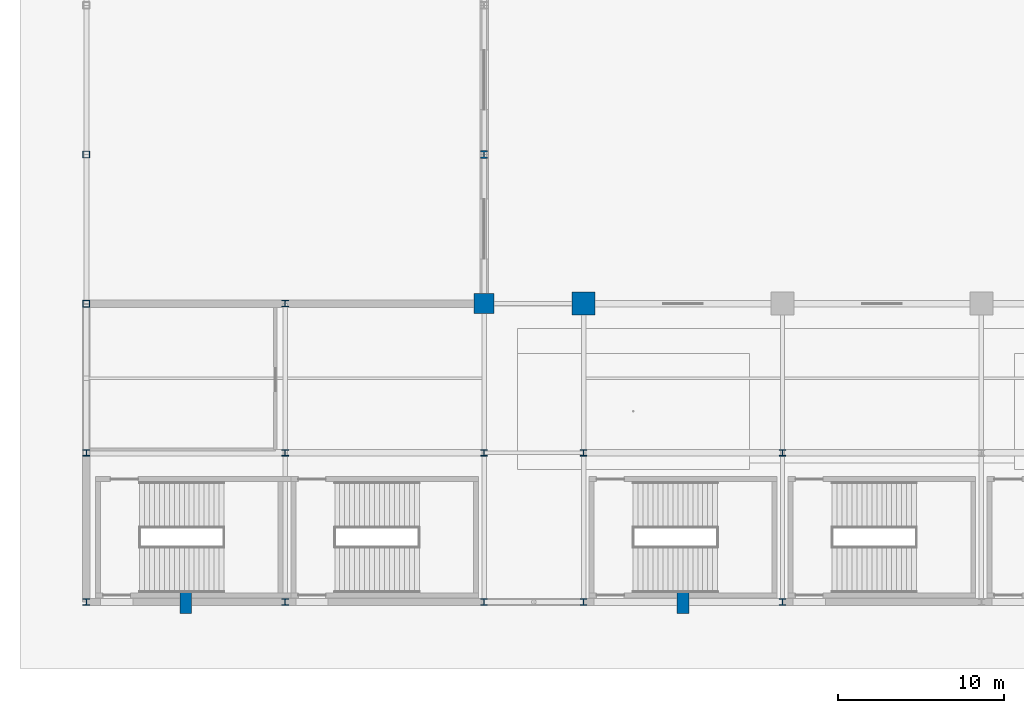
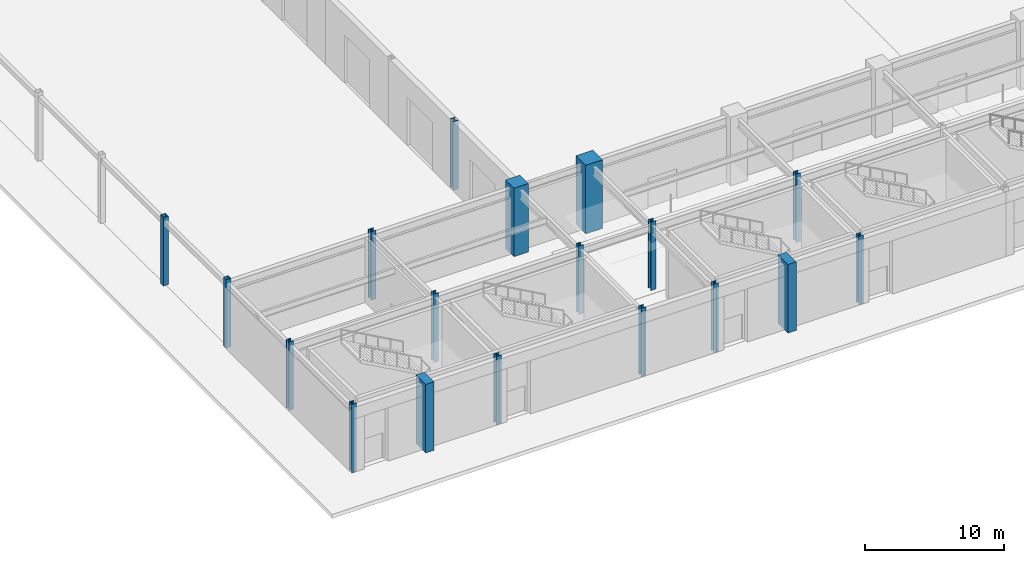
# One storey, part 1 of 44: 18 columns.
"""IFC4 building model written with IfcOpenShell, lengths in metres."""

from ifc_helpers import new_model, si_unit, direction, frame, origin, origin_2d, place, context, subcontext, project, spatial, rectangle, hollow_rectangle, i_section, extrude, material, material_profile, profile_set, type_object, element, save


model = new_model("IFC4")

# Units and contexts
model_context = context("Model", 3, precision=1e-05, world=origin(), true_north=direction((0.0, 1.0)))
body_context = subcontext(model_context, "Body", "Model", "MODEL_VIEW")
ifc_project = project(units=[si_unit("LENGTHUNIT", "METRE"), si_unit("AREAUNIT", "SQUARE_METRE"), si_unit("VOLUMEUNIT", "CUBIC_METRE"), si_unit("PLANEANGLEUNIT", "RADIAN"), si_unit("MASSUNIT", "GRAM", prefix="KILO")], contexts=[model_context])

# Site, building, storey
site_placement = place(None, origin())
site = spatial("IfcSite", under=ifc_project, at=site_placement, CompositionType="ELEMENT")
building_placement = place(site_placement, origin())
building = spatial("IfcBuilding", under=site, at=building_placement, Name="Kaldorvane Square Convention Centre", CompositionType="ELEMENT")
storey_placement = place(building_placement, origin())
storey = spatial("IfcBuildingStorey", under=building, at=storey_placement, Name="L00", CompositionType="ELEMENT", Elevation=0.0)

# Columns
ifc_material_1 = material(Name="Steel ASTM A500 Gr. C", Category="steel")
ifc_material_profile_1 = material_profile(ifc_material_1, hollow_rectangle(XDim=0.406402587890625, YDim=0.406402587890625, WallThickness=0.014801025390625, at=origin_2d()), Name="HSS16X16X5/8")
ifc_profile_set_1 = profile_set([ifc_material_profile_1], Name="Steel ASTM A500 Gr. C")
column_type_1 = type_object("IfcColumnType", Name="COL-HSS-16", PredefinedType="COLUMN", material=ifc_profile_set_1)
for number, where, z_axis, x_axis, name in (
    (1, (0.0, 18.0, 0.0), (0.0, 0.0, 1.0), (1.0, 0.0, 0.0), "Column SC-14 (L00)"),
    (2, (0.0, 27.0, 0.0), (0.0, 0.0, 1.0), (1.0, 0.0, 0.0), "Column SC-14 (L00)"),
):
    element("IfcColumn", number, at=place(storey_placement, frame(where, z_axis=z_axis, x_axis=x_axis)), inside=storey, type_object=column_type_1, Name=name, PredefinedType="COLUMN", context=body_context, shape_type="SweptSolid", body=[
        extrude(hollow_rectangle(XDim=0.406402587890625, YDim=0.406402587890625, WallThickness=0.014801025390625, at=origin_2d()), origin(), (0.0, 0.0, 1.0), 6.0),
    ])
ifc_material_2 = material(Name="Concrete f'c = 55 MPa (Normalweight)", Category="concrete")
ifc_material_profile_2 = material_profile(ifc_material_2, rectangle(XDim=1.1999969482421875, YDim=1.1999969482421875, at=origin_2d()), Name="RC1200X1200")
ifc_profile_set_2 = profile_set([ifc_material_profile_2], Name="Concrete f'c = 55 MPa (Normalweight)")
column_type_2 = type_object("IfcColumnType", Name="COL-MEGA-1200", PredefinedType="COLUMN", material=ifc_profile_set_2)
column_1_placement = place(storey_placement, frame((24.0, 18.0, 0.0), z_axis=(0.0, 0.0, 1.0), x_axis=(1.0, 0.0, 0.0)))
element("IfcColumn", 3, at=column_1_placement, inside=storey, type_object=column_type_2, Name="Column MC-02 (L00)", PredefinedType="COLUMN", context=body_context, shape_type="SweptSolid", body=[
    extrude(rectangle(XDim=1.1999969482421875, YDim=1.1999969482421875, at=origin_2d()), origin(), (0.0, 0.0, 1.0), 6.0),
])
ifc_material_profile_3 = material_profile(ifc_material_2, rectangle(XDim=1.399993896484375, YDim=1.399993896484375, at=origin_2d()), Name="RC1400X1400")
ifc_profile_set_3 = profile_set([ifc_material_profile_3], Name="Concrete f'c = 55 MPa (Normalweight)")
column_type_3 = type_object("IfcColumnType", Name="COL-MEGA-1400", PredefinedType="COLUMN", material=ifc_profile_set_3)
column_2_placement = place(storey_placement, frame((30.0, 18.0, 0.0), z_axis=(0.0, 0.0, 1.0), x_axis=(1.0, 0.0, 0.0)))
element("IfcColumn", 4, at=column_2_placement, inside=storey, type_object=column_type_3, Name="Column MC-01 (L00)", PredefinedType="COLUMN", context=body_context, shape_type="SweptSolid", body=[
    extrude(rectangle(XDim=1.399993896484375, YDim=1.399993896484375, at=origin_2d()), origin(), (0.0, 0.0, 1.0), 6.0),
])
ifc_material_3 = material(Name="Steel ASTM A992 Gr. 50", Category="steel")
ifc_material_profile_4 = material_profile(ifc_material_3, i_section(OverallWidth=0.40130615234375, OverallDepth=0.3993072509765625, WebThickness=0.02490234375, FlangeThickness=0.0395965576171875, FilletRadius=0.0305023193359375, at=origin_2d()), Name="W14X211")
ifc_profile_set_4 = profile_set([ifc_material_profile_4], Name="Steel ASTM A992 Gr. 50")
column_type_4 = type_object("IfcColumnType", Name="COL-STL-211", PredefinedType="COLUMN", material=ifc_profile_set_4)
for number, where, z_axis, x_axis, name in (
    (5, (0.0, 0.0, 0.0), (0.0, 0.0, 1.0), (1.0, 0.0, 0.0), "Column SC-08 (L00)"),
    (6, (0.0, 9.0, 0.0), (0.0, 0.0, 1.0), (1.0, 0.0, 0.0), "Column SC-08 (L00)"),
    (7, (12.0, 0.0, 0.0), (0.0, 0.0, 1.0), (1.0, 0.0, 0.0), "Column SC-08 (L00)"),
    (8, (12.0, 9.0, 0.0), (0.0, 0.0, 1.0), (1.0, 0.0, 0.0), "Column SC-08 (L00)"),
    (9, (12.0, 18.0, 0.0), (0.0, 0.0, 1.0), (1.0, 0.0, 0.0), "Column SC-08 (L00)"),
    (10, (24.0, 0.0, 0.0), (0.0, 0.0, 1.0), (1.0, 0.0, 0.0), "Column SC-08 (L00)"),
    (11, (24.0, 9.0, 0.0), (0.0, 0.0, 1.0), (1.0, 0.0, 0.0), "Column SC-08 (L00)"),
    (12, (30.0, 0.0, 0.0), (0.0, 0.0, 1.0), (1.0, 0.0, 0.0), "Column SC-08 (L00)"),
    (13, (30.0, 9.0, 0.0), (0.0, 0.0, 1.0), (1.0, 0.0, 0.0), "Column SC-08 (L00)"),
    (14, (42.0, 0.0, 0.0), (0.0, 0.0, 1.0), (1.0, 0.0, 0.0), "Column SC-08 (L00)"),
    (15, (42.0, 9.0, 0.0), (0.0, 0.0, 1.0), (1.0, 0.0, 0.0), "Column SC-08 (L00)"),
):
    element("IfcColumn", number, at=place(storey_placement, frame(where, z_axis=z_axis, x_axis=x_axis)), inside=storey, type_object=column_type_4, Name=name, PredefinedType="COLUMN", context=body_context, shape_type="SweptSolid", body=[
        extrude(i_section(OverallWidth=0.40130615234375, OverallDepth=0.3993072509765625, WebThickness=0.02490234375, FlangeThickness=0.0395965576171875, FilletRadius=0.0305023193359375, at=origin_2d()), origin(), (0.0, 0.0, 1.0), 6.0),
    ])
ifc_material_profile_5 = material_profile(ifc_material_3, i_section(OverallWidth=0.424102783203125, OverallDepth=0.4741973876953125, WebThickness=0.047607421875, FlangeThickness=0.0771026611328125, FilletRadius=0.0305023193359375, at=origin_2d()), Name="W14X426")
ifc_profile_set_5 = profile_set([ifc_material_profile_5], Name="Steel ASTM A992 Gr. 50")
column_type_5 = type_object("IfcColumnType", Name="COL-STL-426", PredefinedType="COLUMN", material=ifc_profile_set_5)
column_3_placement = place(storey_placement, frame((24.0, 27.0, 0.0), z_axis=(0.0, 0.0, 1.0), x_axis=(1.0, 0.0, 0.0)))
element("IfcColumn", 16, at=column_3_placement, inside=storey, type_object=column_type_5, Name="Column SC-04 (L00)", PredefinedType="COLUMN", context=body_context, shape_type="SweptSolid", body=[
    extrude(i_section(OverallWidth=0.424102783203125, OverallDepth=0.4741973876953125, WebThickness=0.047607421875, FlangeThickness=0.0771026611328125, FilletRadius=0.0305023193359375, at=origin_2d()), origin(), (0.0, 0.0, 1.0), 6.0),
])
ifc_material_profile_6 = material_profile(ifc_material_2, rectangle(XDim=0.6999969482421875, YDim=1.399993896484375, at=origin_2d()), Name="PIL1400X700")
ifc_profile_set_6 = profile_set([ifc_material_profile_6], Name="Concrete f'c = 55 MPa (Normalweight)")
column_type_6 = type_object("IfcColumnType", Name="PIL-BRUT-1400", PredefinedType="PILASTER", material=ifc_profile_set_6)
for number, where, z_axis, x_axis, name in (
    (17, (6.0, 0.0, 0.0), (0.0, 0.0, 1.0), (1.0, 0.0, 0.0), "Brutalist Colonnade Pilaster (L00)"),
    (18, (36.0, 0.0, 0.0), (0.0, 0.0, 1.0), (1.0, 0.0, 0.0), "Brutalist Colonnade Pilaster (L00)"),
):
    element("IfcColumn", number, at=place(storey_placement, frame(where, z_axis=z_axis, x_axis=x_axis)), inside=storey, type_object=column_type_6, Name=name, PredefinedType="PILASTER", context=body_context, shape_type="SweptSolid", body=[
        extrude(rectangle(XDim=0.6999969482421875, YDim=1.399993896484375, at=origin_2d()), origin(), (0.0, 0.0, 1.0), 6.0),
    ])

save(model, "model.ifc")
